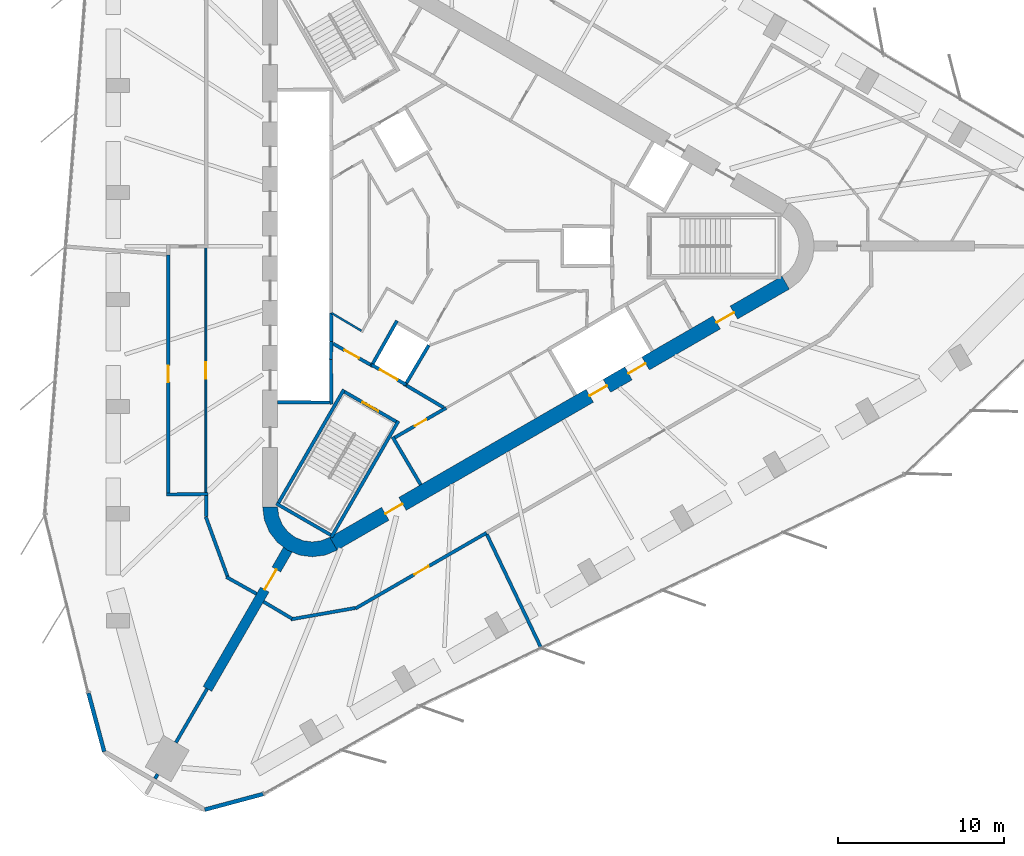
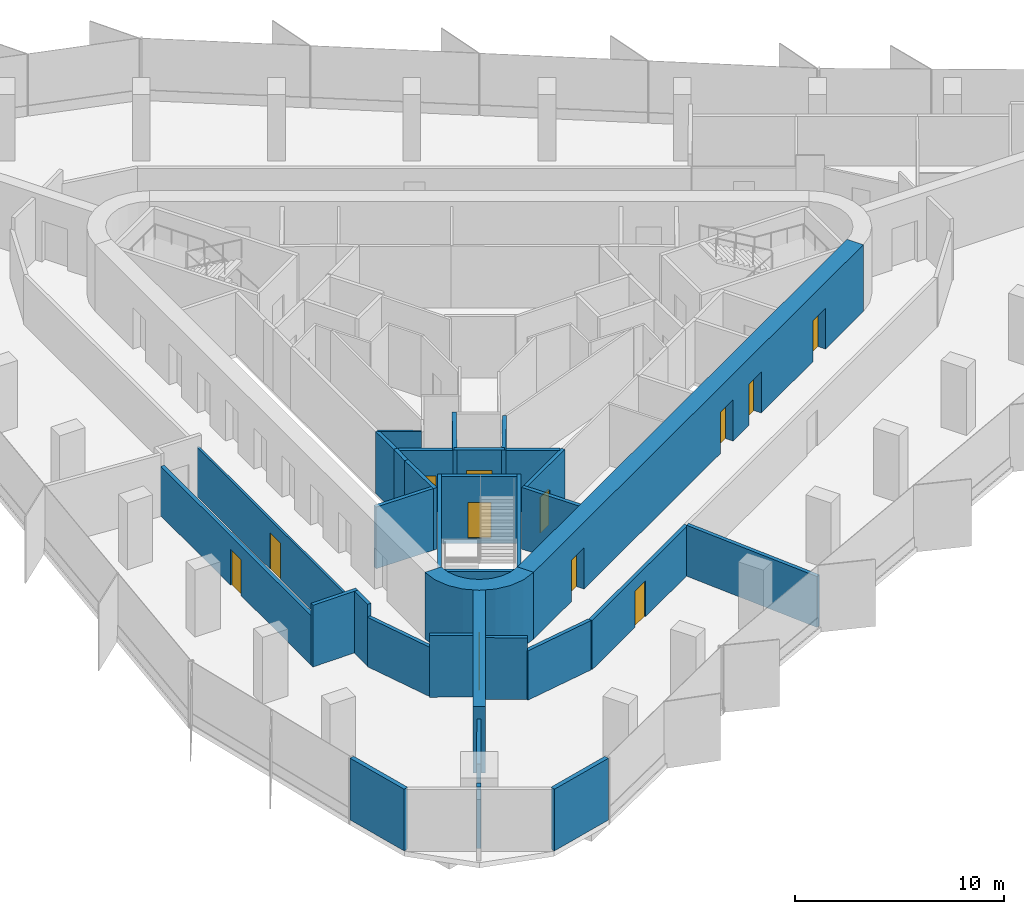
# One storey, part 8 of 14: 33 walls, 12 doors, 12 openings.
"""IFC4 building model written with IfcOpenShell, lengths in metres."""

from ifc_helpers import new_model, si_unit, direction, frame, frame_2d, origin, place, context, subcontext, project, spatial, polyline, rectangle, outline, extrude, material, layer, layer_set, type_object, element, fill, save


model = new_model("IFC4")

# Units and contexts
model_context = context("Model", 3, precision=1e-05, world=origin(), true_north=direction((0.0, 1.0)))
body_context = subcontext(model_context, "Body", "Model", "MODEL_VIEW")
ifc_project = project(units=[si_unit("LENGTHUNIT", "METRE"), si_unit("AREAUNIT", "SQUARE_METRE"), si_unit("VOLUMEUNIT", "CUBIC_METRE"), si_unit("PLANEANGLEUNIT", "RADIAN"), si_unit("MASSUNIT", "GRAM", prefix="KILO")], contexts=[model_context])

# Site, building, storey
site_placement = place(None, origin())
site = spatial("IfcSite", under=ifc_project, at=site_placement, CompositionType="ELEMENT")
building_placement = place(site_placement, origin())
building = spatial("IfcBuilding", under=site, at=building_placement, Name="Tanit Gate Tower", CompositionType="ELEMENT")
storey_placement = place(building_placement, frame((0.0, 0.0, 298.699951171875)))
storey = spatial("IfcBuildingStorey", under=building, at=storey_placement, Name="L66", CompositionType="ELEMENT", Elevation=298.699951171875)

# Wall, opening, door
ifc_material_1 = material(Name="Concrete C40/50", Category="concrete")
ifc_layer_1 = layer(ifc_material_1, 0.60009765625)
ifc_layer_set_1 = layer_set([ifc_layer_1], Name="BUTTRESS FIN 600 C40/50")
wall_type_1 = type_object("IfcWallType", Name="BUTTRESS FIN 600 C40/50", PredefinedType="SHEAR", material=ifc_layer_set_1)
wall_1_placement = place(storey_placement, frame((-10.574951171875, -18.31640625, 0.0), z_axis=(0.0, 0.0, 1.0), x_axis=(-0.499999297704, -0.866025809255, 0.0)))
wall_1 = element("IfcWall", 1, at=wall_1_placement, inside=storey, type_object=wall_type_1, Name="BUTTRESS FIN", PredefinedType="SHEAR", context=body_context, shape_type="SweptSolid", body=[
    extrude(rectangle(XDim=9.72021484375, YDim=0.60009765625, at=frame_2d((4.860107421875, 0.0))), origin(), (0.0, 0.0, 1.0), 3.900146484375),
])
opening_1_placement = place(wall_1_placement, frame((1.39990234375, 0.0, 0.0)))
opening_1 = element("IfcOpeningElement", 2, at=opening_1_placement, cuts=wall_1, Name="Opening P14-S18-F-SW-1", PredefinedType="OPENING", context=body_context, shape_type="SweptSolid", body=[
    extrude(rectangle(XDim=1.39990234375, YDim=2.39990234375, at=frame_2d((0.699951171875, 1.199951171875))), frame((0.0, 0.31005859375, 0.0), z_axis=(0.0, -1.0, 0.0), x_axis=(1.0, 0.0, 0.0)), (0.0, 0.0, 1.0), 0.6201171875),
])
ifc_material_2 = material(Name="Timber door leaf", Category="wood")
door_type_1 = type_object("IfcDoorType", Name="INT-DOOR-FIN-PAIR-1400", OperationType="NOTDEFINED", PredefinedType="NOTDEFINED", material=ifc_material_2)
door_1_placement = place(opening_1_placement, origin())
door_1 = element("IfcDoor", 3, at=door_1_placement, inside=storey, type_object=door_type_1, Name="Door P14-S18-F-SW-1", OperationType="DOUBLE_DOOR_SINGLE_SWING", OverallHeight=2.39990234375, OverallWidth=1.39990234375, PredefinedType="NOTDEFINED", context=body_context, shape_type="SweptSolid", body=[
    extrude(rectangle(XDim=1.39990234375, YDim=2.39990234375, at=frame_2d((0.699951171875, 1.199951171875))), frame((0.0, 0.02490234375, 0.0), z_axis=(0.0, -1.0, 0.0), x_axis=(1.0, 0.0, 0.0)), (0.0, 0.0, 1.0), 0.050048828125),
])
fill(opening_1, door_1)

# Wall, openings, doors
ifc_material_3 = material(Name="Concrete C40/50", Category="concrete")
ifc_layer_2 = layer(ifc_material_3, 0.89990234375)
ifc_layer_set_2 = layer_set([ifc_layer_2], Name="CORE WALL 900 C40/50")
wall_type_2 = type_object("IfcWallType", Name="CORE WALL 900 C40/50", PredefinedType="SHEAR", material=ifc_layer_set_2)
wall_2_placement = place(storey_placement, frame((-7.824951171875, -17.969970703125, 0.0), z_axis=(0.0, 0.0, 1.0), x_axis=(0.866028369851, 0.499994862586, 0.0)))
wall_2 = element("IfcWall", 4, at=wall_2_placement, inside=storey, type_object=wall_type_2, Name="CORE WALL", PredefinedType="SHEAR", context=body_context, shape_type="SweptSolid", body=[
    extrude(rectangle(XDim=31.523193359375, YDim=0.89990234375, at=frame_2d((15.76171875, 0.0))), origin(), (0.0, 0.0, 1.0), 3.900146484375),
])
opening_2_placement = place(wall_2_placement, frame((17.861572265625, 0.0, 0.0)))
opening_2 = element("IfcOpeningElement", 5, at=opening_2_placement, cuts=wall_2, Name="Opening LDSV1-S18", PredefinedType="OPENING", context=body_context, shape_type="SweptSolid", body=[
    extrude(rectangle(XDim=1.199951171875, YDim=2.39990234375, at=frame_2d((0.60009765625, 1.199951171875))), frame((0.0, 0.4599609375, 0.0), z_axis=(0.0, -1.0, 0.0), x_axis=(1.0, 0.0, 0.0)), (0.0, 0.0, 1.0), 0.919921875),
])
opening_3_placement = place(wall_2_placement, frame((20.561767578125, 0.0, 0.0)))
opening_3 = element("IfcOpeningElement", 6, at=opening_3_placement, cuts=wall_2, Name="Opening LDSV2-S18", PredefinedType="OPENING", context=body_context, shape_type="SweptSolid", body=[
    extrude(rectangle(XDim=1.199951171875, YDim=2.39990234375, at=frame_2d((0.60009765625, 1.199951171875))), frame((0.0, 0.4599609375, 0.0), z_axis=(0.0, -1.0, 0.0), x_axis=(1.0, 0.0, 0.0)), (0.0, 0.0, 1.0), 0.919921875),
])
opening_4_placement = place(wall_2_placement, frame((26.711669921875, 0.0, 0.0)))
opening_4 = element("IfcOpeningElement", 7, at=opening_4_placement, cuts=wall_2, Name="Opening F12-S18-S1", PredefinedType="OPENING", context=body_context, shape_type="SweptSolid", body=[
    extrude(rectangle(XDim=1.199951171875, YDim=2.39990234375, at=frame_2d((0.60009765625, 1.199951171875))), frame((0.0, 0.4599609375, 0.0), z_axis=(0.0, -1.0, 0.0), x_axis=(1.0, 0.0, 0.0)), (0.0, 0.0, 1.0), 0.919921875),
])
opening_5_placement = place(wall_2_placement, frame((3.611572265625, 0.0, 0.0)))
opening_5 = element("IfcOpeningElement", 8, at=opening_5_placement, cuts=wall_2, Name="Opening F12-S18-FL3", PredefinedType="OPENING", context=body_context, shape_type="SweptSolid", body=[
    extrude(rectangle(XDim=1.199951171875, YDim=2.39990234375, at=frame_2d((0.60009765625, 1.199951171875))), frame((0.0, 0.4599609375, 0.0), z_axis=(0.0, -1.0, 0.0), x_axis=(1.0, 0.0, 0.0)), (0.0, 0.0, 1.0), 0.919921875),
])
ifc_material_4 = material(Name="Fire-rated steel door leaf", Category="steel")
door_type_2 = type_object("IfcDoorType", Name="INT-DOOR-FIRE-LOBBY-1200", OperationType="NOTDEFINED", PredefinedType="USERDEFINED", material=ifc_material_4)
door_2_placement = place(opening_4_placement, origin())
door_2 = element("IfcDoor", 9, at=door_2_placement, inside=storey, type_object=door_type_2, Name="Door F12-S18-S1", ObjectType="FIRE DOOR", OperationType="SINGLE_SWING_RIGHT", OverallHeight=2.39990234375, OverallWidth=1.199951171875, PredefinedType="USERDEFINED", context=body_context, shape_type="SweptSolid", body=[
    extrude(rectangle(XDim=1.199951171875, YDim=2.39990234375, at=frame_2d((0.60009765625, 1.199951171875))), frame((0.0, 0.02490234375, 0.0), z_axis=(0.0, -1.0, 0.0), x_axis=(1.0, 0.0, 0.0)), (0.0, 0.0, 1.0), 0.050048828125),
])
fill(opening_4, door_2)
door_3_placement = place(opening_5_placement, origin())
door_3 = element("IfcDoor", 10, at=door_3_placement, inside=storey, type_object=door_type_2, Name="Door F12-S18-FL3", ObjectType="FIRE DOOR", OperationType="SINGLE_SWING_RIGHT", OverallHeight=2.39990234375, OverallWidth=1.199951171875, PredefinedType="USERDEFINED", context=body_context, shape_type="SweptSolid", body=[
    extrude(rectangle(XDim=1.199951171875, YDim=2.39990234375, at=frame_2d((0.60009765625, 1.199951171875))), frame((0.0, 0.02490234375, 0.0), z_axis=(0.0, -1.0, 0.0), x_axis=(1.0, 0.0, 0.0)), (0.0, 0.0, 1.0), 0.050048828125),
])
fill(opening_5, door_3)
ifc_material_5 = material(Name="Stainless steel sliding door leaf", Category="steel")
door_type_3 = type_object("IfcDoorType", Name="INT-DOOR-LANDING-1200", OperationType="NOTDEFINED", PredefinedType="USERDEFINED", material=ifc_material_5)
door_4_placement = place(opening_2_placement, origin())
door_4 = element("IfcDoor", 11, at=door_4_placement, inside=storey, type_object=door_type_3, Name="Door LDSV1-S18", ObjectType="LANDING DOOR", OperationType="SLIDING_TO_LEFT", OverallHeight=2.39990234375, OverallWidth=1.199951171875, PredefinedType="USERDEFINED", context=body_context, shape_type="SweptSolid", body=[
    extrude(rectangle(XDim=1.199951171875, YDim=2.39990234375, at=frame_2d((0.60009765625, 1.199951171875))), frame((0.0, 0.02490234375, 0.0), z_axis=(0.0, -1.0, 0.0), x_axis=(1.0, 0.0, 0.0)), (0.0, 0.0, 1.0), 0.050048828125),
])
fill(opening_2, door_4)
door_5_placement = place(opening_3_placement, origin())
door_5 = element("IfcDoor", 12, at=door_5_placement, inside=storey, type_object=door_type_3, Name="Door LDSV2-S18", ObjectType="LANDING DOOR", OperationType="SLIDING_TO_LEFT", OverallHeight=2.39990234375, OverallWidth=1.199951171875, PredefinedType="USERDEFINED", context=body_context, shape_type="SweptSolid", body=[
    extrude(rectangle(XDim=1.199951171875, YDim=2.39990234375, at=frame_2d((0.60009765625, 1.199951171875))), frame((0.0, 0.02490234375, 0.0), z_axis=(0.0, -1.0, 0.0), x_axis=(1.0, 0.0, 0.0)), (0.0, 0.0, 1.0), 0.050048828125),
])
fill(opening_3, door_5)

# Walls
wall_3_placement = place(storey_placement, origin())
element("IfcWall", 13, at=wall_3_placement, inside=storey, type_object=wall_type_2, Name="CORE WALL CORNER", PredefinedType="SHEAR", context=body_context, shape_type="SweptSolid", body=[
    extrude(outline(polyline([(-12.10009765625, -15.76171875), (-11.997802734375, -16.5380859375), (-11.697998046875, -17.26171875), (-11.22119140625, -17.883056640625), (-10.60009765625, -18.359619140625), (-9.87646484375, -18.659423828125), (-9.10009765625, -18.76171875), (-8.323486328125, -18.659423828125), (-7.60009765625, -18.359619140625), (-8.050048828125, -17.580322265625), (-8.556396484375, -17.7900390625), (-9.10009765625, -17.86181640625), (-9.6435546875, -17.7900390625), (-10.14990234375, -17.580322265625), (-10.5849609375, -17.24658203125), (-10.918701171875, -16.811767578125), (-11.12841796875, -16.30517578125), (-11.199951171875, -15.76171875), (-12.10009765625, -15.76171875)])), origin(), (0.0, 0.0, 1.0), 3.900146484375),
])
ifc_material_6 = material(Name="Concrete C30/37 with bronze anodised aluminium cladding", Category="concrete")
ifc_layer_3 = layer(ifc_material_6, 0.239990234375)
ifc_layer_set_3 = layer_set([ifc_layer_3], Name="Facade wall bronze clad 240")
wall_type_3 = type_object("IfcWallType", Name="Facade wall bronze clad 240", PredefinedType="SOLIDWALL", material=ifc_layer_set_3)
wall_4_placement = place(storey_placement, frame((-22.619140625, -26.98193359375, 0.0), z_axis=(0.0, 0.0, 1.0), x_axis=(0.258766072242, -0.965940018768, 0.0)))
element("IfcWall", 14, at=wall_4_placement, inside=storey, type_object=wall_type_3, Name="Bronze-clad facade wall L66 SW.arc1", PredefinedType="SOLIDWALL", context=body_context, shape_type="SweptSolid", body=[
    extrude(rectangle(XDim=3.66259765625, YDim=0.239990234375, at=frame_2d((1.831298828125, 0.0))), origin(), (0.0, 0.0, 1.0), 3.60009765625),
])
wall_5_placement = place(storey_placement, frame((-15.59521484375, -34.02783203125, 0.0), z_axis=(0.0, 0.0, 1.0), x_axis=(0.965927742293, 0.258811894374, 0.0)))
element("IfcWall", 15, at=wall_5_placement, inside=storey, type_object=wall_type_3, Name="Bronze-clad facade wall L66 SW.arc3", PredefinedType="SOLIDWALL", context=body_context, shape_type="SweptSolid", body=[
    extrude(rectangle(XDim=3.648681640625, YDim=0.239990234375, at=frame_2d((1.82421875, 0.0))), origin(), (0.0, 0.0, 1.0), 3.60009765625),
])
ifc_material_7 = material(Name="Fire-rated gypsum board partition")
ifc_layer_4 = layer(ifc_material_7, 0.199951171875)
ifc_layer_set_4 = layer_set([ifc_layer_4], Name="INT-WALL-COMPARTMENT")
wall_type_4 = type_object("IfcWallType", Name="INT-WALL-COMPARTMENT", PredefinedType="PARTITIONING", material=ifc_layer_set_4)
wall_6_placement = place(storey_placement, frame((-4.259765625, -11.523681640625, 0.0), z_axis=(0.0, 0.0, 1.0), x_axis=(0.507997497166, -0.861358544901, 0.0)))
element("IfcWall", 16, at=wall_6_placement, inside=storey, type_object=wall_type_4, Name="Wall Compartment W053", PredefinedType="PARTITIONING", context=body_context, shape_type="SweptSolid", body=[
    extrude(rectangle(XDim=3.350341796875, YDim=0.199951171875, at=frame_2d((1.67529296875, 0.0))), origin(), (0.0, 0.0, 1.0), 3.60009765625),
])

# Wall, opening, door
wall_7_placement = place(storey_placement, frame((-1.02392578125, -9.77099609375, 0.0), z_axis=(0.0, 0.0, 1.0), x_axis=(-0.866029903013, -0.499992207027, 0.0)))
wall_7 = element("IfcWall", 17, at=wall_7_placement, inside=storey, type_object=wall_type_4, Name="Wall Compartment W054", PredefinedType="PARTITIONING", context=body_context, shape_type="SweptSolid", body=[
    extrude(rectangle(XDim=3.57763671875, YDim=0.199951171875, at=frame_2d((1.788818359375, 0.0))), origin(), (0.0, 0.0, 1.0), 3.60009765625),
])
opening_6_placement = place(wall_7_placement, frame((1.388916015625, 0.0, 0.0)))
opening_6 = element("IfcOpeningElement", 18, at=opening_6_placement, cuts=wall_7, Name="Opening R08-S18-18", PredefinedType="OPENING", context=body_context, shape_type="SweptSolid", body=[
    extrude(rectangle(XDim=0.800048828125, YDim=2.10009765625, at=frame_2d((0.39990234375, 1.050048828125))), frame((0.0, 0.10986328125, 0.0), z_axis=(0.0, -1.0, 0.0), x_axis=(1.0, 0.0, 0.0)), (0.0, 0.0, 1.0), 0.219970703125),
])
ifc_material_8 = material(Name="Timber door leaf", Category="wood")
door_type_4 = type_object("IfcDoorType", Name="INT-DOOR-RISER-800", OperationType="NOTDEFINED", PredefinedType="USERDEFINED", material=ifc_material_8)
door_6_placement = place(opening_6_placement, origin())
door_6 = element("IfcDoor", 19, at=door_6_placement, inside=storey, type_object=door_type_4, Name="Door R08-S18-18", ObjectType="FIRE DOOR", OperationType="SINGLE_SWING_LEFT", OverallHeight=2.10009765625, OverallWidth=0.800048828125, PredefinedType="USERDEFINED", context=body_context, shape_type="SweptSolid", body=[
    extrude(rectangle(XDim=0.800048828125, YDim=2.10009765625, at=frame_2d((0.39990234375, 1.050048828125))), frame((0.0, 0.02490234375, 0.0), z_axis=(0.0, -1.0, 0.0), x_axis=(1.0, 0.0, 0.0)), (0.0, 0.0, 1.0), 0.050048828125),
])
fill(opening_6, door_6)

# Wall
wall_8_placement = place(storey_placement, frame((-3.400634765625, -8.43017578125, 0.0), z_axis=(0.0, 0.0, 1.0), x_axis=(0.860630814782, -0.509229418482, 0.0)))
element("IfcWall", 20, at=wall_8_placement, inside=storey, type_object=wall_type_4, Name="Wall Compartment W063", PredefinedType="PARTITIONING", context=body_context, shape_type="SweptSolid", body=[
    extrude(rectangle(XDim=2.581787109375, YDim=0.199951171875, at=frame_2d((1.291015625, 0.0))), origin(), (0.0, 0.0, 1.0), 3.60009765625),
])

# Wall, opening, door
wall_9_placement = place(storey_placement, frame((-7.849365234375, -5.893798828125, 0.0), z_axis=(0.0, 0.0, 1.0), x_axis=(0.871363259478, -0.490638431059, 0.0)))
wall_9 = element("IfcWall", 21, at=wall_9_placement, inside=storey, type_object=wall_type_4, Name="Wall Compartment W064", PredefinedType="PARTITIONING", context=body_context, shape_type="SweptSolid", body=[
    extrude(rectangle(XDim=2.5810546875, YDim=0.199951171875, at=frame_2d((1.29052734375, 0.0))), origin(), (0.0, 0.0, 1.0), 3.60009765625),
])
opening_7_placement = place(wall_9_placement, frame((0.79052734375, 0.0, 0.0)))
opening_7 = element("IfcOpeningElement", 22, at=opening_7_placement, cuts=wall_9, Name="Opening F10-S18-08", PredefinedType="OPENING", context=body_context, shape_type="SweptSolid", body=[
    extrude(rectangle(XDim=1.0, YDim=2.10009765625, at=frame_2d((0.5, 1.050048828125))), frame((0.0, 0.10986328125, 0.0), z_axis=(0.0, -1.0, 0.0), x_axis=(1.0, 0.0, 0.0)), (0.0, 0.0, 1.0), 0.219970703125),
])
ifc_material_9 = material(Name="Fire-rated steel door leaf", Category="steel")
door_type_5 = type_object("IfcDoorType", Name="INT-DOOR-FIRE-1000", OperationType="NOTDEFINED", PredefinedType="USERDEFINED", material=ifc_material_9)
door_7_placement = place(opening_7_placement, origin())
door_7 = element("IfcDoor", 23, at=door_7_placement, inside=storey, type_object=door_type_5, Name="Door F10-S18-08", ObjectType="FIRE DOOR", OperationType="SINGLE_SWING_RIGHT", OverallHeight=2.10009765625, OverallWidth=1.0, PredefinedType="USERDEFINED", context=body_context, shape_type="SweptSolid", body=[
    extrude(rectangle(XDim=1.0, YDim=2.10009765625, at=frame_2d((0.5, 1.050048828125))), frame((0.0, 0.02490234375, 0.0), z_axis=(0.0, -1.0, 0.0), x_axis=(1.0, 0.0, 0.0)), (0.0, 0.0, 1.0), 0.050048828125),
])
fill(opening_7, door_7)

# Wall
wall_10_placement = place(storey_placement, frame((-17.89990234375, -15.001220703125, 0.0), z_axis=(0.0, 0.0, 1.0), x_axis=(0.999915662945, 0.012987185857, 0.0)))
element("IfcWall", 24, at=wall_10_placement, inside=storey, type_object=wall_type_4, Name="Wall Compartment W089", PredefinedType="PARTITIONING", context=body_context, shape_type="SweptSolid", body=[
    extrude(rectangle(XDim=2.500244140625, YDim=0.199951171875, at=frame_2d((1.25, 0.0))), origin(), (0.0, 0.0, 1.0), 3.60009765625),
])

# Wall, opening, door
wall_11_placement = place(storey_placement, frame((-17.800048828125, -0.534912109375, 0.0), z_axis=(0.0, 0.0, 1.0), x_axis=(0.0, -1.0, 0.0)))
wall_11 = element("IfcWall", 25, at=wall_11_placement, inside=storey, type_object=wall_type_4, Name="Wall Compartment W090", PredefinedType="PARTITIONING", context=body_context, shape_type="SweptSolid", body=[
    extrude(rectangle(XDim=14.364990234375, YDim=0.199951171875, at=frame_2d((7.1826171875, 0.0))), origin(), (0.0, 0.0, 1.0), 2.880126953125),
])
opening_8_placement = place(wall_11_placement, frame((6.6826171875, 0.0, 0.0)))
opening_8 = element("IfcOpeningElement", 26, at=opening_8_placement, cuts=wall_11, Name="Opening F10-S18-26", PredefinedType="OPENING", context=body_context, shape_type="SweptSolid", body=[
    extrude(rectangle(XDim=1.0, YDim=2.10009765625, at=frame_2d((0.5, 1.050048828125))), frame((0.0, 0.10986328125, 0.0), z_axis=(0.0, -1.0, 0.0), x_axis=(1.0, 0.0, 0.0)), (0.0, 0.0, 1.0), 0.219970703125),
])
door_8_placement = place(opening_8_placement, origin())
door_8 = element("IfcDoor", 27, at=door_8_placement, inside=storey, type_object=door_type_5, Name="Door F10-S18-26", ObjectType="FIRE DOOR", OperationType="SINGLE_SWING_RIGHT", OverallHeight=2.10009765625, OverallWidth=1.0, PredefinedType="USERDEFINED", context=body_context, shape_type="SweptSolid", body=[
    extrude(rectangle(XDim=1.0, YDim=2.10009765625, at=frame_2d((0.5, 1.050048828125))), frame((0.0, 0.02490234375, 0.0), z_axis=(0.0, -1.0, 0.0), x_axis=(1.0, 0.0, 0.0)), (0.0, 0.0, 1.0), 0.050048828125),
])
fill(opening_8, door_8)

# Walls
wall_12_placement = place(storey_placement, frame((-14.293212890625, -19.9775390625, 0.0), z_axis=(0.0, 0.0, 1.0), x_axis=(0.872510000486, -0.48859625362, 0.0)))
element("IfcWall", 28, at=wall_12_placement, inside=storey, type_object=wall_type_4, Name="Wall Compartment W093", PredefinedType="PARTITIONING", context=body_context, shape_type="SweptSolid", body=[
    extrude(rectangle(XDim=2.089599609375, YDim=0.199951171875, at=frame_2d((1.044921875, 0.0))), origin(), (0.0, 0.0, 1.0), 3.60009765625),
])
wall_13_placement = place(storey_placement, frame((-15.5341796875, -16.346435546875, 0.0), z_axis=(0.0, 0.0, 1.0), x_axis=(0.342001008711, -0.939699584996, 0.0)))
element("IfcWall", 29, at=wall_13_placement, inside=storey, type_object=wall_type_4, Name="Wall Compartment W094", PredefinedType="PARTITIONING", context=body_context, shape_type="SweptSolid", body=[
    extrude(rectangle(XDim=3.87548828125, YDim=0.199951171875, at=frame_2d((1.937744140625, 0.0))), origin(), (0.0, 0.0, 1.0), 2.880126953125),
])
wall_14_placement = place(storey_placement, frame((-15.5, -15.070068359375, 0.0), z_axis=(0.0, 0.0, 1.0), x_axis=(0.0, -1.0, 0.0)))
element("IfcWall", 30, at=wall_14_placement, inside=storey, type_object=wall_type_4, Name="Wall Compartment W095", PredefinedType="PARTITIONING", context=body_context, shape_type="SweptSolid", body=[
    extrude(rectangle(XDim=1.2705078125, YDim=0.199951171875, at=frame_2d((0.63525390625, 0.0))), origin(), (0.0, 0.0, 1.0), 3.60009765625),
])

# Wall, opening, door
wall_15_placement = place(storey_placement, frame((-6.505126953125, -21.884521484375, 0.0), z_axis=(0.0, 0.0, 1.0), x_axis=(0.866029997737, 0.499992042957, 0.0)))
wall_15 = element("IfcWall", 31, at=wall_15_placement, inside=storey, type_object=wall_type_4, Name="Wall Compartment W109", PredefinedType="PARTITIONING", context=body_context, shape_type="SweptSolid", body=[
    extrude(rectangle(XDim=9.145751953125, YDim=0.199951171875, at=frame_2d((4.57275390625, 0.0))), origin(), (0.0, 0.0, 1.0), 2.880126953125),
])
opening_9_placement = place(wall_15_placement, frame((4.11083984375, 0.0, 0.0)))
opening_9 = element("IfcOpeningElement", 32, at=opening_9_placement, cuts=wall_15, Name="Opening F10-S18-30", PredefinedType="OPENING", context=body_context, shape_type="SweptSolid", body=[
    extrude(rectangle(XDim=1.0, YDim=2.10009765625, at=frame_2d((0.5, 1.050048828125))), frame((0.0, 0.10986328125, 0.0), z_axis=(0.0, -1.0, 0.0), x_axis=(1.0, 0.0, 0.0)), (0.0, 0.0, 1.0), 0.219970703125),
])
door_9_placement = place(opening_9_placement, origin())
door_9 = element("IfcDoor", 33, at=door_9_placement, inside=storey, type_object=door_type_5, Name="Door F10-S18-30", ObjectType="FIRE DOOR", OperationType="SINGLE_SWING_LEFT", OverallHeight=2.10009765625, OverallWidth=1.0, PredefinedType="USERDEFINED", context=body_context, shape_type="SweptSolid", body=[
    extrude(rectangle(XDim=1.0, YDim=2.10009765625, at=frame_2d((0.5, 1.050048828125))), frame((0.0, 0.02490234375, 0.0), z_axis=(0.0, -1.0, 0.0), x_axis=(1.0, 0.0, 0.0)), (0.0, 0.0, 1.0), 0.050048828125),
])
fill(opening_9, door_9)

# Walls
wall_16_placement = place(storey_placement, frame((-10.405517578125, -22.53759765625, 0.0), z_axis=(0.0, 0.0, 1.0), x_axis=(0.98480284819, 0.173675991999, 0.0)))
element("IfcWall", 34, at=wall_16_placement, inside=storey, type_object=wall_type_4, Name="Wall Compartment W110", PredefinedType="PARTITIONING", context=body_context, shape_type="SweptSolid", body=[
    extrude(rectangle(XDim=3.94873046875, YDim=0.199951171875, at=frame_2d((1.974365234375, 0.0))), origin(), (0.0, 0.0, 1.0), 2.880126953125),
])
wall_17_placement = place(storey_placement, frame((-12.05029296875, -21.4716796875, 0.0), z_axis=(0.0, 0.0, 1.0), x_axis=(0.859577966481, -0.511004617924, 0.0)))
element("IfcWall", 35, at=wall_17_placement, inside=storey, type_object=wall_type_4, Name="Wall Compartment W111", PredefinedType="PARTITIONING", context=body_context, shape_type="SweptSolid", body=[
    extrude(rectangle(XDim=1.99755859375, YDim=0.199951171875, at=frame_2d((0.998779296875, 0.0))), origin(), (0.0, 0.0, 1.0), 3.60009765625),
])
wall_18_placement = place(storey_placement, frame((-18.599365234375, -32.15478515625, 0.0), z_axis=(0.0, 0.0, 1.0), x_axis=(0.500213193091, 0.865902281703, 0.0)))
element("IfcWall", 36, at=wall_18_placement, inside=storey, type_object=wall_type_4, Name="Wall Compartment W113x1", PredefinedType="PARTITIONING", context=body_context, shape_type="SweptSolid", body=[
    extrude(rectangle(XDim=0.315673828125, YDim=0.199951171875, at=frame_2d((0.15771484375, 0.0))), origin(), (0.0, 0.0, 1.0), 3.60009765625),
])
wall_19_placement = place(storey_placement, frame((-17.34130859375, -29.97607421875, 0.0), z_axis=(0.0, 0.0, 1.0), x_axis=(0.50255049681, 0.864547857644, 0.0)))
element("IfcWall", 37, at=wall_19_placement, inside=storey, type_object=wall_type_4, Name="Wall Compartment W114", PredefinedType="PARTITIONING", context=body_context, shape_type="SweptSolid", body=[
    extrude(rectangle(XDim=3.760498046875, YDim=0.199951171875, at=frame_2d((1.88037109375, 0.0))), origin(), (0.0, 0.0, 1.0), 3.170166015625),
])
wall_20_placement = place(storey_placement, frame((1.437744140625, -17.4140625, 0.0), z_axis=(0.0, 0.0, 1.0), x_axis=(0.431072758101, -0.902317171079, 0.0)))
element("IfcWall", 38, at=wall_20_placement, inside=storey, type_object=wall_type_4, Name="Wall Compartment W124", PredefinedType="PARTITIONING", context=body_context, shape_type="SweptSolid", body=[
    extrude(rectangle(XDim=7.584716796875, YDim=0.199951171875, at=frame_2d((3.79248046875, 0.0))), origin(), (0.0, 0.0, 1.0), 2.969970703125),
])
ifc_material_10 = material(Name="Gypsum board partition")
ifc_layer_5 = layer(ifc_material_10, 0.1201171875)
ifc_layer_set_5 = layer_set([ifc_layer_5], Name="INT-WALL-PARTITION")
wall_type_5 = type_object("IfcWallType", Name="INT-WALL-PARTITION", PredefinedType="PARTITIONING", material=ifc_layer_set_5)
wall_21_placement = place(storey_placement, frame((-7.949951171875, -4.041015625, 0.0), z_axis=(0.0, 0.0, 1.0), x_axis=(0.860112457103, -0.510104461004, 0.0)))
element("IfcWall", 39, at=wall_21_placement, inside=storey, type_object=wall_type_5, Name="Wall Partition W078", PredefinedType="PARTITIONING", context=body_context, shape_type="SweptSolid", body=[
    extrude(rectangle(XDim=2.1044921875, YDim=0.1201171875, at=frame_2d((1.05224609375, 0.0))), origin(), (0.0, 0.0, 1.0), 3.60009765625),
])

# Wall, opening, door
wall_22_placement = place(storey_placement, frame((-15.530029296875, 0.0, 0.0), z_axis=(0.0, 0.0, 1.0), x_axis=(0.0, -1.0, 0.0)))
wall_22 = element("IfcWall", 40, at=wall_22_placement, inside=storey, type_object=wall_type_5, Name="Wall Partition W088", PredefinedType="PARTITIONING", context=body_context, shape_type="SweptSolid", body=[
    extrude(rectangle(XDim=15.0, YDim=0.1201171875, at=frame_2d((7.5, 0.0))), origin(), (0.0, 0.0, 1.0), 2.880126953125),
])
opening_10_placement = place(wall_22_placement, frame((7.0, 0.0, 0.0)))
opening_10 = element("IfcOpeningElement", 41, at=opening_10_placement, cuts=wall_22, Name="Opening D10-S18-21", PredefinedType="OPENING", context=body_context, shape_type="SweptSolid", body=[
    extrude(rectangle(XDim=1.0, YDim=2.10009765625, at=frame_2d((0.5, 1.050048828125))), frame((0.0, 0.070068359375, 0.0), z_axis=(0.0, -1.0, 0.0), x_axis=(1.0, 0.0, 0.0)), (0.0, 0.0, 1.0), 0.14013671875),
])
ifc_material_11 = material(Name="Timber door leaf", Category="wood")
door_type_6 = type_object("IfcDoorType", Name="INT-DOOR-SINGLE-1000", OperationType="NOTDEFINED", PredefinedType="NOTDEFINED", material=ifc_material_11)
door_10_placement = place(opening_10_placement, origin())
door_10 = element("IfcDoor", 42, at=door_10_placement, inside=storey, type_object=door_type_6, Name="Door D10-S18-21", OperationType="SINGLE_SWING_LEFT", OverallHeight=2.10009765625, OverallWidth=1.0, PredefinedType="NOTDEFINED", context=body_context, shape_type="SweptSolid", body=[
    extrude(rectangle(XDim=1.0, YDim=2.10009765625, at=frame_2d((0.5, 1.050048828125))), frame((0.0, 0.02490234375, 0.0), z_axis=(0.0, -1.0, 0.0), x_axis=(1.0, 0.0, 0.0)), (0.0, 0.0, 1.0), 0.050048828125),
])
fill(opening_10, door_10)

# Walls
ifc_material_12 = material(Name="Gypsum shaft wall system")
ifc_layer_6 = layer(ifc_material_12, 0.199951171875)
ifc_layer_set_6 = layer_set([ifc_layer_6], Name="INT-WALL-SHAFT")
wall_type_6 = type_object("IfcWallType", Name="INT-WALL-SHAFT", PredefinedType="PLUMBINGWALL", material=ifc_layer_set_6)
wall_23_placement = place(storey_placement, frame((-7.949951171875, -5.7724609375, 0.0), z_axis=(0.0, 0.0, 1.0), x_axis=(-0.030803413295, -0.999525462272, 0.0)))
element("IfcWall", 43, at=wall_23_placement, inside=storey, type_object=wall_type_6, Name="Wall Shaft W008", PredefinedType="PLUMBINGWALL", context=body_context, shape_type="SweptSolid", body=[
    extrude(rectangle(XDim=1.077880859375, YDim=0.199951171875, at=frame_2d((0.5390625, 0.0))), origin(), (0.0, 0.0, 1.0), 3.60009765625),
])
wall_24_placement = place(storey_placement, frame((-7.971435546875, -4.050048828125, 0.0), z_axis=(0.0, 0.0, 1.0), x_axis=(0.012042535896, -0.999927486035, 0.0)))
element("IfcWall", 44, at=wall_24_placement, inside=storey, type_object=wall_type_6, Name="Wall Shaft W009", PredefinedType="PLUMBINGWALL", context=body_context, shape_type="SweptSolid", body=[
    extrude(rectangle(XDim=1.844970703125, YDim=0.199951171875, at=frame_2d((0.92236328125, 0.0))), origin(), (0.0, 0.0, 1.0), 3.60009765625),
])
wall_25_placement = place(storey_placement, frame((-7.97900390625, -6.85009765625, 0.0), z_axis=(0.0, 0.0, 1.0), x_axis=(0.011121475088, -0.999938154483, 0.0)))
element("IfcWall", 45, at=wall_25_placement, inside=storey, type_object=wall_type_6, Name="Wall Shaft W010", PredefinedType="PLUMBINGWALL", context=body_context, shape_type="SweptSolid", body=[
    extrude(rectangle(XDim=2.7001953125, YDim=0.199951171875, at=frame_2d((1.35009765625, 0.0))), origin(), (0.0, 0.0, 1.0), 3.60009765625),
])
wall_26_placement = place(storey_placement, frame((-8.050048828125, -9.448974609375, 0.0), z_axis=(0.0, 0.0, 1.0), x_axis=(-0.999957467379, 0.009222983926, 0.0)))
element("IfcWall", 46, at=wall_26_placement, inside=storey, type_object=wall_type_6, Name="Wall Shaft W011", PredefinedType="PLUMBINGWALL", context=body_context, shape_type="SweptSolid", body=[
    extrude(rectangle(XDim=3.150146484375, YDim=0.199951171875, at=frame_2d((1.5751953125, 0.0))), origin(), (0.0, 0.0, 1.0), 3.60009765625),
])

# Wall, opening, door
wall_27_placement = place(storey_placement, frame((-3.44580078125, -8.3681640625, 0.0), z_axis=(0.0, 0.0, 1.0), x_axis=(-0.866024647952, 0.500001309137, 0.0)))
wall_27 = element("IfcWall", 47, at=wall_27_placement, inside=storey, type_object=wall_type_6, Name="Wall Shaft W040", PredefinedType="PLUMBINGWALL", context=body_context, shape_type="SweptSolid", body=[
    extrude(rectangle(XDim=2.39990234375, YDim=0.199951171875, at=frame_2d((1.199951171875, 0.0))), origin(), (0.0, 0.0, 1.0), 3.60009765625),
])
opening_11_placement = place(wall_27_placement, frame((0.60009765625, 0.0, 0.0)))
opening_11 = element("IfcOpeningElement", 48, at=opening_11_placement, cuts=wall_27, Name="Opening LDFL3-L66", PredefinedType="OPENING", context=body_context, shape_type="SweptSolid", body=[
    extrude(rectangle(XDim=1.199951171875, YDim=2.39990234375, at=frame_2d((0.60009765625, 1.199951171875))), frame((0.0, 0.10986328125, 0.0), z_axis=(0.0, -1.0, 0.0), x_axis=(1.0, 0.0, 0.0)), (0.0, 0.0, 1.0), 0.219970703125),
])
door_11_placement = place(opening_11_placement, origin())
door_11 = element("IfcDoor", 49, at=door_11_placement, inside=storey, type_object=door_type_3, Name="Door LDFL3-L66", ObjectType="LANDING DOOR", OperationType="SLIDING_TO_LEFT", OverallHeight=2.39990234375, OverallWidth=1.199951171875, PredefinedType="USERDEFINED", context=body_context, shape_type="SweptSolid", body=[
    extrude(rectangle(XDim=1.199951171875, YDim=2.39990234375, at=frame_2d((0.60009765625, 1.199951171875))), frame((0.0, 0.02490234375, 0.0), z_axis=(0.0, -1.0, 0.0), x_axis=(1.0, 0.0, 0.0)), (0.0, 0.0, 1.0), 0.050048828125),
])
fill(opening_11, door_11)

# Walls
wall_28_placement = place(storey_placement, frame((-2.070068359375, -5.985595703125, 0.0), z_axis=(0.0, 0.0, 1.0), x_axis=(-0.509302965445, -0.8605872933, 0.0)))
element("IfcWall", 50, at=wall_28_placement, inside=storey, type_object=wall_type_6, Name="Wall Shaft W041", PredefinedType="PLUMBINGWALL", context=body_context, shape_type="SweptSolid", body=[
    extrude(rectangle(XDim=2.88134765625, YDim=0.199951171875, at=frame_2d((1.440673828125, 0.0))), origin(), (0.0, 0.0, 1.0), 3.60009765625),
])
wall_29_placement = place(storey_placement, frame((-3.989990234375, -4.509033203125, 0.0), z_axis=(0.0, 0.0, 1.0), x_axis=(-0.491358283181, -0.870957540612, 0.0)))
element("IfcWall", 51, at=wall_29_placement, inside=storey, type_object=wall_type_6, Name="Wall Shaft W042", PredefinedType="PLUMBINGWALL", context=body_context, shape_type="SweptSolid", body=[
    extrude(rectangle(XDim=3.200439453125, YDim=0.199951171875, at=frame_2d((1.60009765625, 0.0))), origin(), (0.0, 0.0, 1.0), 3.60009765625),
])
ifc_material_13 = material(Name="Concrete C40/50", Category="concrete")
ifc_layer_7 = layer(ifc_material_13, 0.199951171875)
ifc_layer_set_7 = layer_set([ifc_layer_7], Name="INT-WALL-STAIR")
wall_type_7 = type_object("IfcWallType", Name="INT-WALL-STAIR", PredefinedType="SHEAR", material=ifc_layer_set_7)
wall_30_placement = place(storey_placement, frame((-3.904541015625, -10.56298828125, -0.300048828125), z_axis=(0.0, 0.0, 1.0), x_axis=(-0.500012932018, -0.866017937352, 0.0)))
element("IfcWall", 52, at=wall_30_placement, inside=storey, type_object=wall_type_7, Name="Wall Stair W036", PredefinedType="SHEAR", context=body_context, shape_type="SweptSolid", body=[
    extrude(rectangle(XDim=8.099853515625, YDim=0.199951171875, at=frame_2d((4.0498046875, 0.0))), origin(), (0.0, 0.0, 1.0), 3.900146484375),
])
wall_31_placement = place(storey_placement, frame((-11.281982421875, -15.541015625, -0.300048828125), z_axis=(0.0, 0.0, 1.0), x_axis=(0.866000483506, -0.500043160704, 0.0)))
element("IfcWall", 53, at=wall_31_placement, inside=storey, type_object=wall_type_7, Name="Wall Stair W037", PredefinedType="SHEAR", context=body_context, shape_type="SweptSolid", body=[
    extrude(rectangle(XDim=3.800048828125, YDim=0.199951171875, at=frame_2d((1.89990234375, 0.0))), origin(), (0.0, 0.0, 1.0), 3.900146484375),
])
wall_32_placement = place(storey_placement, frame((-7.195556640625, -8.662841796875, -0.300048828125), z_axis=(0.0, 0.0, 1.0), x_axis=(-0.499997992926, -0.866026562566, 0.0)))
element("IfcWall", 54, at=wall_32_placement, inside=storey, type_object=wall_type_7, Name="Wall Stair W038", PredefinedType="SHEAR", context=body_context, shape_type="SweptSolid", body=[
    extrude(rectangle(XDim=7.89990234375, YDim=0.199951171875, at=frame_2d((3.949951171875, 0.0))), origin(), (0.0, 0.0, 1.0), 3.900146484375),
])

# Wall, opening, door
wall_33_placement = place(storey_placement, frame((-4.041259765625, -10.599365234375, -0.300048828125), z_axis=(0.0, 0.0, 1.0), x_axis=(-0.866047807691, 0.499961193289, 0.0)))
wall_33 = element("IfcWall", 55, at=wall_33_placement, inside=storey, type_object=wall_type_7, Name="Wall Stair W039", PredefinedType="SHEAR", context=body_context, shape_type="SweptSolid", body=[
    extrude(rectangle(XDim=3.599853515625, YDim=0.199951171875, at=frame_2d((1.7998046875, 0.0))), origin(), (0.0, 0.0, 1.0), 3.900146484375),
])
opening_12_placement = place(wall_33_placement, frame((1.25, 0.0, 0.300048828125)))
opening_12 = element("IfcOpeningElement", 56, at=opening_12_placement, cuts=wall_33, Name="Opening S11-S18-07", PredefinedType="OPENING", context=body_context, shape_type="SweptSolid", body=[
    extrude(rectangle(XDim=1.10009765625, YDim=2.10009765625, at=frame_2d((0.550048828125, 1.050048828125))), frame((0.0, 0.10986328125, 0.0), z_axis=(0.0, -1.0, 0.0), x_axis=(1.0, 0.0, 0.0)), (0.0, 0.0, 1.0), 0.219970703125),
])
ifc_material_14 = material(Name="Timber door leaf", Category="wood")
door_type_7 = type_object("IfcDoorType", Name="INT-DOOR-STAIR-1100", OperationType="NOTDEFINED", PredefinedType="USERDEFINED", material=ifc_material_14)
door_12_placement = place(opening_12_placement, origin())
door_12 = element("IfcDoor", 57, at=door_12_placement, inside=storey, type_object=door_type_7, Name="Door S11-S18-07", ObjectType="FIRE DOOR", OperationType="SINGLE_SWING_RIGHT", OverallHeight=2.10009765625, OverallWidth=1.10009765625, PredefinedType="USERDEFINED", context=body_context, shape_type="SweptSolid", body=[
    extrude(rectangle(XDim=1.10009765625, YDim=2.10009765625, at=frame_2d((0.550048828125, 1.050048828125))), frame((0.0, 0.02490234375, 0.0), z_axis=(0.0, -1.0, 0.0), x_axis=(1.0, 0.0, 0.0)), (0.0, 0.0, 1.0), 0.050048828125),
])
fill(opening_12, door_12)

save(model, "model.ifc")
